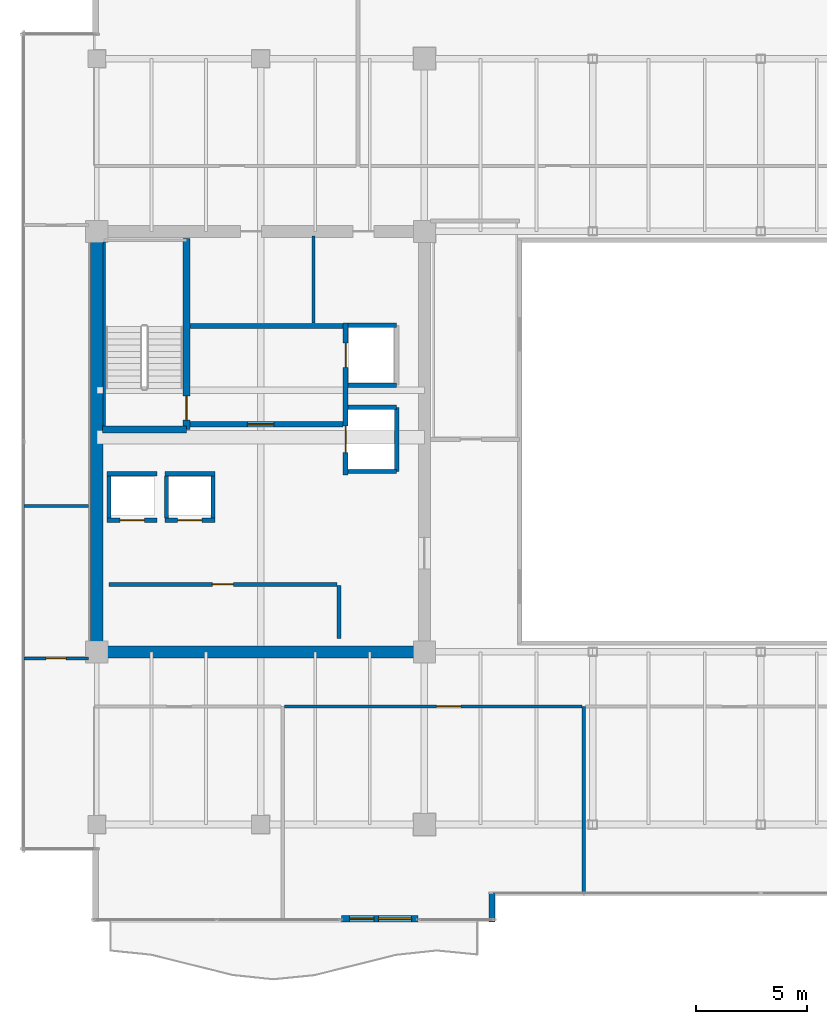
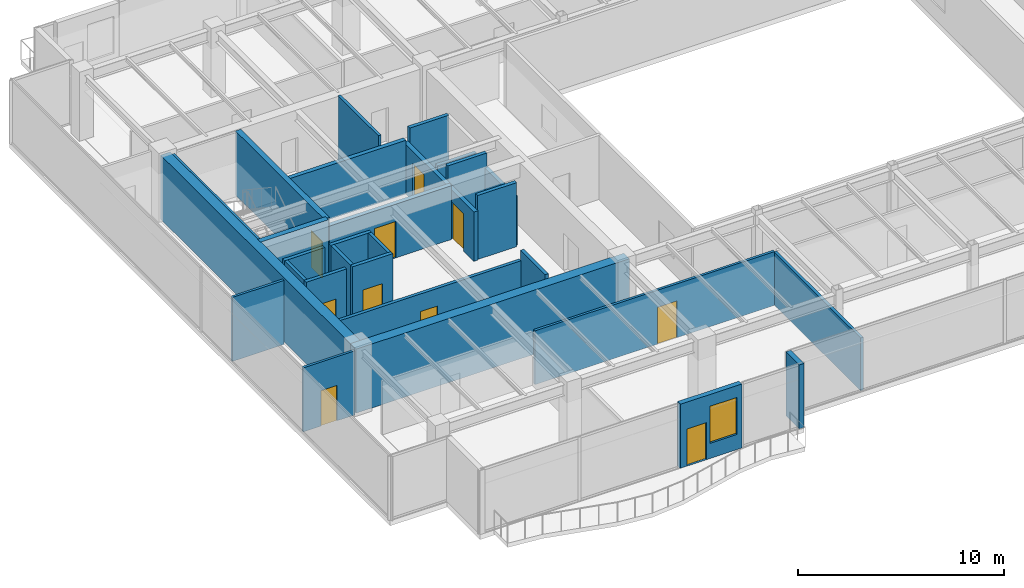
# One storey, part 28 of 35: 29 walls, 10 doors, 1 window, 11 openings.
"""IFC4 building model written with IfcOpenShell, lengths in metres."""

from ifc_helpers import new_model, si_unit, direction, frame, frame_2d, origin, place, context, subcontext, project, spatial, rectangle, extrude, source, transform, mapped, material, layer, layer_set, type_object, type_shapes, element, fill, save


model = new_model("IFC4")

# Units and contexts
model_context = context("Model", 3, precision=1e-05, world=origin(), true_north=direction((0.0, 1.0)))
body_context = subcontext(model_context, "Body", "Model", "MODEL_VIEW")
ifc_project = project(units=[si_unit("LENGTHUNIT", "METRE"), si_unit("AREAUNIT", "SQUARE_METRE"), si_unit("VOLUMEUNIT", "CUBIC_METRE"), si_unit("PLANEANGLEUNIT", "RADIAN"), si_unit("MASSUNIT", "GRAM", prefix="KILO")], contexts=[model_context])

# Site, building, storey
site_placement = place(None, origin())
site = spatial("IfcSite", under=ifc_project, at=site_placement, CompositionType="ELEMENT")
building_placement = place(site_placement, origin())
building = spatial("IfcBuilding", under=site, at=building_placement, Name="Haelvirn Gate Laboratories", CompositionType="ELEMENT")
storey_placement = place(building_placement, frame((0.0, 0.0, 283.39990234375)))
storey = spatial("IfcBuildingStorey", under=building, at=storey_placement, Name="L68", CompositionType="ELEMENT", Elevation=283.39990234375)

# Wall, openings, door, window
ifc_material_1 = material(Name="Thermally-broken bronze aluminium rainscreen & mineral wool", Category="aluminium")
ifc_layer_1 = layer(ifc_material_1, 0.280029296875, Name="EW-TERR-280")
ifc_layer_set_1 = layer_set([ifc_layer_1], Name="Thermally-broken bronze aluminium rainscreen & mineral wool")
wall_type_1 = type_object("IfcWallType", Name="EW-TERR-280", PredefinedType="STANDARD", material=ifc_layer_set_1)
wall_1_placement = place(storey_placement, frame((18.447021484375, 2.739990234375, 0.0), z_axis=(0.0, 0.0, 1.0), x_axis=(1.0, 0.0, 0.0)))
wall_1 = element("IfcWall", 1, at=wall_1_placement, inside=storey, type_object=wall_type_1, Name="L68 Terrace Access Wall WB-WL-S", PredefinedType="STANDARD", context=body_context, shape_type="SweptSolid", body=[
    extrude(rectangle(XDim=3.4560546875, YDim=0.280029296875, at=frame_2d((1.72802734375, 0.0))), origin(), (0.0, 0.0, 1.0), 3.800048828125),
])
opening_1_placement = place(wall_1_placement, frame((0.3779296875, 0.0, 0.0)))
opening_1 = element("IfcOpeningElement", 2, at=opening_1_placement, cuts=wall_1, Name="Opening TD1", PredefinedType="OPENING", context=body_context, shape_type="SweptSolid", body=[
    extrude(rectangle(XDim=1.10009765625, YDim=2.199951171875, at=frame_2d((0.550048828125, 1.10009765625))), frame((0.0, 0.14990234375, 0.0), z_axis=(0.0, -1.0, 0.0), x_axis=(1.0, 0.0, 0.0)), (0.0, 0.0, 1.0), 0.300048828125),
])
opening_2_placement = place(wall_1_placement, frame((1.677978515625, 0.0, 0.89990234375)))
opening_2 = element("IfcOpeningElement", 3, at=opening_2_placement, cuts=wall_1, Name="Opening W3", PredefinedType="OPENING", context=body_context, shape_type="SweptSolid", body=[
    extrude(rectangle(XDim=1.5, YDim=2.199951171875, at=frame_2d((0.75, 1.10009765625))), frame((0.0, 0.14990234375, 0.0), z_axis=(0.0, -1.0, 0.0), x_axis=(1.0, 0.0, 0.0)), (0.0, 0.0, 1.0), 0.300048828125),
])
ifc_material_2 = material(Name="Thermally-broken bronze aluminium glazed terrace door", Category="aluminium")
door_type_1 = type_object("IfcDoorType", Name="DR-TERR-1100", OperationType="NOTDEFINED", PredefinedType="DOOR", material=ifc_material_2)
shared_shape_1 = source(origin(), body_context, "Body", "SweptSolid", [
    extrude(rectangle(XDim=1.10009765625, YDim=2.199951171875, at=frame_2d((0.550048828125, 1.10009765625))), frame((0.0, 0.02490234375, 0.0), z_axis=(0.0, -1.0, 0.0), x_axis=(1.0, 0.0, 0.0)), (0.0, 0.0, 1.0), 0.050048828125),
])
type_shapes(door_type_1, [shared_shape_1])
door_1_placement = place(opening_1_placement, origin())
door_1 = element("IfcDoor", 4, at=door_1_placement, inside=storey, type_object=door_type_1, Name="L68 Terrace Access Door WB-WL-S", OperationType="SINGLE_SWING_LEFT", OverallHeight=2.199951171875, OverallWidth=1.10009765625, PredefinedType="DOOR", context=body_context, shape_type="MappedRepresentation", body=[
    mapped(shared_shape_1, transform((0.0, 0.0, 0.0), scale=1.0)),
])
fill(opening_1, door_1)
ifc_material_3 = material(Name="Bronze anodised aluminium & triple low-E glass", Category="aluminium")
window_type = type_object("IfcWindowType", Name="WIN-TERR-1600", PartitioningType="SINGLE_PANEL", PredefinedType="WINDOW", material=ifc_material_3)
shared_shape_2 = source(origin(), body_context, "Body", "SweptSolid", [
    extrude(rectangle(XDim=1.5, YDim=2.199951171875, at=frame_2d((0.75, 1.10009765625))), frame((0.0, 0.030029296875, 0.0), z_axis=(0.0, -1.0, 0.0), x_axis=(1.0, 0.0, 0.0)), (0.0, 0.0, 1.0), 0.06005859375),
])
type_shapes(window_type, [shared_shape_2])
window_placement = place(opening_2_placement, origin())
window = element("IfcWindow", 5, at=window_placement, inside=storey, type_object=window_type, Name="L68 Terrace Vision Window WB-WL-S", OverallHeight=2.199951171875, OverallWidth=1.5, PartitioningType="SINGLE_PANEL", PredefinedType="WINDOW", context=body_context, shape_type="MappedRepresentation", body=[
    mapped(shared_shape_2, transform((0.0, 0.0, 0.0), scale=1.0)),
])
fill(opening_2, window)

# Walls
wall_2_placement = place(storey_placement, frame((25.260009765625, 2.60009765625, 0.0), z_axis=(0.0, 0.0, 1.0), x_axis=(0.0, 1.0, 0.0)))
element("IfcWall", 6, at=wall_2_placement, inside=storey, type_object=wall_type_1, Name="L68 Atrium Recess Bronze Return Wall 01", PredefinedType="STANDARD", context=body_context, shape_type="SweptSolid", body=[
    extrude(rectangle(XDim=1.29296875, YDim=0.280029296875, at=frame_2d((0.646484375, 0.0))), origin(), (0.0, 0.0, 1.0), 3.800048828125),
])
ifc_material_4 = material(Name="Double-layer acoustic gypsum laboratory partition", Category="gypsum")
ifc_layer_2 = layer(ifc_material_4, 0.159912109375, Name="IW-ACOUST-160")
ifc_layer_set_2 = layer_set([ifc_layer_2], Name="Double-layer acoustic gypsum laboratory partition")
wall_type_2 = type_object("IfcWallType", Name="IW-ACOUST-160", PredefinedType="PARTITIONING", material=ifc_layer_set_2)
wall_3_placement = place(storey_placement, frame((29.39990234375, 3.909912109375, 0.0), z_axis=(0.0, 0.0, 1.0), x_axis=(0.0, 1.0, 0.0)))
element("IfcWall", 7, at=wall_3_placement, inside=storey, type_object=wall_type_2, Name="L68 Interior Wall IW-L68-SDIV-02", PredefinedType="PARTITIONING", context=body_context, shape_type="SweptSolid", body=[
    extrude(rectangle(XDim=8.43017578125, YDim=0.159912109375, at=frame_2d((4.215087890625, 0.0))), origin(), (0.0, 0.0, 1.0), 3.135009765625),
])

# Wall, opening, door
ifc_material_5 = material(Name="Acoustic mineral-wool gypsum board partition", Category="gypsum")
ifc_layer_3 = layer(ifc_material_5, 0.139892578125, Name="IW-PART-140")
ifc_layer_set_3 = layer_set([ifc_layer_3], Name="Acoustic mineral-wool gypsum board partition")
wall_type_3 = type_object("IfcWallType", Name="IW-PART-140", PredefinedType="PARTITIONING", material=ifc_layer_set_3)
wall_4_placement = place(storey_placement, frame((15.8798828125, 12.340087890625, 0.0), z_axis=(0.0, 0.0, 1.0), x_axis=(1.0, 0.0, 0.0)))
wall_4 = element("IfcWall", 8, at=wall_4_placement, inside=storey, type_object=wall_type_3, Name="L68 Interior Wall IW-L68-SCORR-02", PredefinedType="PARTITIONING", context=body_context, shape_type="SweptSolid", body=[
    extrude(rectangle(XDim=13.440185546875, YDim=0.139892578125, at=frame_2d((6.72021484375, 0.0))), origin(), (0.0, 0.0, 1.0), 3.197021484375),
])
opening_3_placement = place(wall_4_placement, frame((6.868408203125, 0.0, 0.0)))
opening_3 = element("IfcOpeningElement", 9, at=opening_3_placement, cuts=wall_4, Name="Opening D1", PredefinedType="OPENING", context=body_context, shape_type="SweptSolid", body=[
    extrude(rectangle(XDim=1.10009765625, YDim=2.179931640625, at=frame_2d((0.550048828125, 1.08984375))), frame((0.0, 0.080078125, 0.0), z_axis=(0.0, -1.0, 0.0), x_axis=(1.0, 0.0, 0.0)), (0.0, 0.0, 1.0), 0.159912109375),
])
ifc_material_6 = material(Name="Vision-panel acoustic solid-core timber lab door", Category="wood")
door_type_2 = type_object("IfcDoorType", Name="DR-LAB-1100", OperationType="NOTDEFINED", PredefinedType="DOOR", material=ifc_material_6)
shared_shape_3 = source(origin(), body_context, "Body", "SweptSolid", [
    extrude(rectangle(XDim=1.10009765625, YDim=2.179931640625, at=frame_2d((0.550048828125, 1.08984375))), frame((0.0, 0.02490234375, 0.0), z_axis=(0.0, -1.0, 0.0), x_axis=(1.0, 0.0, 0.0)), (0.0, 0.0, 1.0), 0.050048828125),
])
type_shapes(door_type_2, [shared_shape_3])
door_2_placement = place(opening_3_placement, origin())
door_2 = element("IfcDoor", 10, at=door_2_placement, inside=storey, type_object=door_type_2, Name="L68 Colloquium Conference Room Door S2", OperationType="SINGLE_SWING_RIGHT", OverallHeight=2.179931640625, OverallWidth=1.10009765625, PredefinedType="DOOR", context=body_context, shape_type="MappedRepresentation", body=[
    mapped(shared_shape_3, transform((0.0, 0.0, 0.0), scale=1.0)),
])
fill(opening_3, door_2)

# Wall
wall_5_placement = place(storey_placement, frame((4.110107421875, 21.39990234375, 0.0), z_axis=(0.0, 0.0, 1.0), x_axis=(1.0, 0.0, 0.0)))
element("IfcWall", 11, at=wall_5_placement, inside=storey, type_object=wall_type_3, Name="L68 Interior Wall IW-L68-WZ3-MID", PredefinedType="PARTITIONING", context=body_context, shape_type="SweptSolid", body=[
    extrude(rectangle(XDim=2.909912109375, YDim=0.139892578125, at=frame_2d((1.455078125, 0.0))), origin(), (0.0, 0.0, 1.0), 3.800048828125),
])

# Wall, opening, door
wall_6_placement = place(storey_placement, frame((4.110107421875, 14.5048828125, 0.0), z_axis=(0.0, 0.0, 1.0), x_axis=(1.0, 0.0, 0.0)))
wall_6 = element("IfcWall", 12, at=wall_6_placement, inside=storey, type_object=wall_type_3, Name="L68 Interior Wall IW-L68-WZ3-ENT-S", PredefinedType="PARTITIONING", context=body_context, shape_type="SweptSolid", body=[
    extrude(rectangle(XDim=2.909912109375, YDim=0.139892578125, at=frame_2d((1.455078125, 0.0))), origin(), (0.0, 0.0, 1.0), 3.800048828125),
])
opening_4_placement = place(wall_6_placement, frame((1.0048828125, 0.0, 0.0)))
opening_4 = element("IfcOpeningElement", 13, at=opening_4_placement, cuts=wall_6, Name="Opening D4", PredefinedType="OPENING", context=body_context, shape_type="SweptSolid", body=[
    extrude(rectangle(XDim=0.89990234375, YDim=2.10009765625, at=frame_2d((0.449951171875, 1.050048828125))), frame((0.0, 0.080078125, 0.0), z_axis=(0.0, -1.0, 0.0), x_axis=(1.0, 0.0, 0.0)), (0.0, 0.0, 1.0), 0.159912109375),
])
ifc_material_7 = material(Name="Glazed aluminium-framed write-up door", Category="aluminium")
door_type_3 = type_object("IfcDoorType", Name="DR-OFF-900", OperationType="NOTDEFINED", PredefinedType="DOOR", material=ifc_material_7)
shared_shape_4 = source(origin(), body_context, "Body", "SweptSolid", [
    extrude(rectangle(XDim=0.89990234375, YDim=2.10009765625, at=frame_2d((0.449951171875, 1.050048828125))), frame((0.0, 0.02490234375, 0.0), z_axis=(0.0, -1.0, 0.0), x_axis=(1.0, 0.0, 0.0)), (0.0, 0.0, 1.0), 0.050048828125),
])
type_shapes(door_type_3, [shared_shape_4])
door_3_placement = place(opening_4_placement, origin())
door_3 = element("IfcDoor", 14, at=door_3_placement, inside=storey, type_object=door_type_3, Name="L68 Researcher Break Pantry Door W-S", OperationType="SINGLE_SWING_LEFT", OverallHeight=2.10009765625, OverallWidth=0.89990234375, PredefinedType="DOOR", context=body_context, shape_type="MappedRepresentation", body=[
    mapped(shared_shape_4, transform((0.0, 0.0, 0.0), scale=1.0)),
])
fill(opening_4, door_3)

# Walls
ifc_material_8 = material(Name="Cement-board restroom plumbing chase wall", Category="gypsum")
ifc_layer_4 = layer(ifc_material_8, 0.155029296875, Name="IW-PLUMB-160")
ifc_layer_set_4 = layer_set([ifc_layer_4], Name="Cement-board restroom plumbing chase wall")
wall_type_4 = type_object("IfcWallType", Name="IW-PLUMB-160", PredefinedType="PLUMBINGWALL", material=ifc_layer_set_4)
wall_7_placement = place(storey_placement, frame((17.18994140625, 29.64990234375, 0.0), z_axis=(0.0, 0.0, 1.0), x_axis=(0.0, 1.0, 0.0)))
element("IfcWall", 15, at=wall_7_placement, inside=storey, type_object=wall_type_4, Name="L68 Interior Wall IW-L68-W-CDIV-1", PredefinedType="PLUMBINGWALL", context=body_context, shape_type="SweptSolid", body=[
    extrude(rectangle(XDim=3.93017578125, YDim=0.155029296875, at=frame_2d((1.965087890625, 0.0))), origin(), (0.0, 0.0, 1.0), 3.800048828125),
])
ifc_material_9 = material(Name="Concrete C40/50", Category="concrete")
ifc_layer_5 = layer(ifc_material_9, 0.179931640625, Name="IW-SHAFT-180")
ifc_layer_set_5 = layer_set([ifc_layer_5], Name="Concrete C40/50")
wall_type_5 = type_object("IfcWallType", Name="IW-SHAFT-180", PredefinedType="SOLIDWALL", material=ifc_layer_set_5)
for number, where, z_axis, x_axis, name in (
    (16, (7.949951171875, 20.85009765625, 0.0), (0.0, 0.0, 1.0), (0.0, 1.0, 0.0), "L68 Interior Wall IW-L68-PL9-SD"),
    (17, (10.550048828125, 20.85009765625, 0.0), (0.0, 0.0, 1.0), (0.0, 1.0, 0.0), "L68 Interior Wall IW-L68-PL10-SD"),
    (18, (12.64990234375, 20.85009765625, 0.0), (0.0, 0.0, 1.0), (0.0, 1.0, 0.0), "L68 Interior Wall IW-L68-PL10-SDE"),
):
    element("IfcWall", number, at=place(storey_placement, frame(where, z_axis=z_axis, x_axis=x_axis)), inside=storey, type_object=wall_type_5, Name=name, PredefinedType="SOLIDWALL", context=body_context, shape_type="SweptSolid", body=[
        extrude(rectangle(XDim=1.89990234375, YDim=0.179931640625, at=frame_2d((0.949951171875, 0.0))), origin(), (0.0, 0.0, 1.0), 3.800048828125),
    ])

# Wall, opening, door
wall_8_placement = place(storey_placement, frame((7.949951171875, 17.85009765625, 0.0), z_axis=(0.0, 0.0, 1.0), x_axis=(1.0, 0.0, 0.0)))
wall_8 = element("IfcWall", 19, at=wall_8_placement, inside=storey, type_object=wall_type_5, Name="L68 Interior Wall IW-L68-W-FREED-HN-1", PredefinedType="SOLIDWALL", context=body_context, shape_type="SweptSolid", body=[
    extrude(rectangle(XDim=10.300048828125, YDim=0.179931640625, at=frame_2d((5.14990234375, 0.0))), origin(), (0.0, 0.0, 1.0), 3.197021484375),
])
opening_5_placement = place(wall_8_placement, frame((4.675048828125, 0.0, 0.0)))
opening_5 = element("IfcOpeningElement", 20, at=opening_5_placement, cuts=wall_8, Name="Opening FD4", PredefinedType="OPENING", context=body_context, shape_type="SweptSolid", body=[
    extrude(rectangle(XDim=0.949951171875, YDim=2.14990234375, at=frame_2d((0.47509765625, 1.074951171875))), frame((0.0, 0.10009765625, 0.0), z_axis=(0.0, -1.0, 0.0), x_axis=(1.0, 0.0, 0.0)), (0.0, 0.0, 1.0), 0.199951171875),
])
ifc_material_10 = material(Name="Fire-rated steel SM355 core service door", Category="steel")
door_type_4 = type_object("IfcDoorType", Name="DR-FD-950", OperationType="NOTDEFINED", PredefinedType="DOOR", material=ifc_material_10)
shared_shape_5 = source(origin(), body_context, "Body", "SweptSolid", [
    extrude(rectangle(XDim=0.949951171875, YDim=2.14990234375, at=frame_2d((0.47509765625, 1.074951171875))), frame((0.0, 0.02490234375, 0.0), z_axis=(0.0, -1.0, 0.0), x_axis=(1.0, 0.0, 0.0)), (0.0, 0.0, 1.0), 0.050048828125),
])
type_shapes(door_type_4, [shared_shape_5])
door_4_placement = place(opening_5_placement, origin())
door_4 = element("IfcDoor", 21, at=door_4_placement, inside=storey, type_object=door_type_4, Name="L68 High-Zone Cryogenic Biobank Vault Door", OperationType="SINGLE_SWING_LEFT", OverallHeight=2.14990234375, OverallWidth=0.949951171875, PredefinedType="DOOR", context=body_context, shape_type="MappedRepresentation", body=[
    mapped(shared_shape_5, transform((0.0, 0.0, 0.0), scale=1.0)),
])
fill(opening_5, door_4)

# Wall
wall_9_placement = place(storey_placement, frame((18.340087890625, 15.39990234375, 0.0), z_axis=(0.0, 0.0, 1.0), x_axis=(0.0, 1.0, 0.0)))
element("IfcWall", 22, at=wall_9_placement, inside=storey, type_object=wall_type_5, Name="L68 Interior Wall IW-L68-W-FREED-HE-1", PredefinedType="SOLIDWALL", context=body_context, shape_type="SweptSolid", body=[
    extrude(rectangle(XDim=2.400146484375, YDim=0.179931640625, at=frame_2d((1.2001953125, 0.0))), origin(), (0.0, 0.0, 1.0), 3.800048828125),
])

# Wall, opening, door
ifc_layer_6 = layer(ifc_material_9, 0.199951171875, Name="IW-SHAFT-200")
ifc_layer_set_6 = layer_set([ifc_layer_6], Name="Concrete C40/50")
wall_type_6 = type_object("IfcWallType", Name="IW-SHAFT-200", PredefinedType="SOLIDWALL", material=ifc_layer_set_6)
wall_10_placement = place(storey_placement, frame((7.8701171875, 20.75, 0.0), z_axis=(0.0, 0.0, 1.0), x_axis=(1.0, 0.0, 0.0)))
wall_10 = element("IfcWall", 23, at=wall_10_placement, inside=storey, type_object=wall_type_6, Name="L68 Interior Wall IW-L68-PL9-FR", PredefinedType="SOLIDWALL", context=body_context, shape_type="SweptSolid", body=[
    extrude(rectangle(XDim=2.259765625, YDim=0.199951171875, at=frame_2d((1.1298828125, 0.0))), origin(), (0.0, 0.0, 1.0), 3.800048828125),
])
opening_6_placement = place(wall_10_placement, frame((0.580078125, 0.0, 0.0)))
opening_6 = element("IfcOpeningElement", 24, at=opening_6_placement, cuts=wall_10, Name="Opening LD2", PredefinedType="OPENING", context=body_context, shape_type="SweptSolid", body=[
    extrude(rectangle(XDim=1.10009765625, YDim=2.219970703125, at=frame_2d((0.550048828125, 1.10986328125))), frame((0.0, 0.10986328125, 0.0), z_axis=(0.0, -1.0, 0.0), x_axis=(1.0, 0.0, 0.0)), (0.0, 0.0, 1.0), 0.219970703125),
])
ifc_material_11 = material(Name="Bronze stainless 316L sliding lift landing door")
door_type_5 = type_object("IfcDoorType", Name="DR-LD-1100", OperationType="NOTDEFINED", PredefinedType="USERDEFINED", material=ifc_material_11)
shared_shape_6 = source(origin(), body_context, "Body", "SweptSolid", [
    extrude(rectangle(XDim=1.10009765625, YDim=2.219970703125, at=frame_2d((0.550048828125, 1.10986328125))), frame((0.0, 0.02490234375, 0.0), z_axis=(0.0, -1.0, 0.0), x_axis=(1.0, 0.0, 0.0)), (0.0, 0.0, 1.0), 0.050048828125),
])
type_shapes(door_type_5, [shared_shape_6])
door_5_placement = place(opening_6_placement, origin())
door_5 = element("IfcDoor", 25, at=door_5_placement, inside=storey, type_object=door_type_5, Name="L68 Passenger Lift PL9 Landing Door", ObjectType="LANDING_DOOR", OperationType="SLIDING_TO_LEFT", OverallHeight=2.219970703125, OverallWidth=1.10009765625, PredefinedType="USERDEFINED", context=body_context, shape_type="MappedRepresentation", body=[
    mapped(shared_shape_6, transform((0.0, 0.0, 0.0), scale=1.0)),
])
fill(opening_6, door_5)

# Wall
wall_11_placement = place(storey_placement, frame((7.8701171875, 22.85009765625, 0.0), z_axis=(0.0, 0.0, 1.0), x_axis=(1.0, 0.0, 0.0)))
element("IfcWall", 26, at=wall_11_placement, inside=storey, type_object=wall_type_6, Name="L68 Interior Wall IW-L68-PL9-BK", PredefinedType="SOLIDWALL", context=body_context, shape_type="SweptSolid", body=[
    extrude(rectangle(XDim=2.259765625, YDim=0.199951171875, at=frame_2d((1.1298828125, 0.0))), origin(), (0.0, 0.0, 1.0), 3.800048828125),
])

# Wall, opening, door
wall_12_placement = place(storey_placement, frame((10.469970703125, 20.75, 0.0), z_axis=(0.0, 0.0, 1.0), x_axis=(1.0, 0.0, 0.0)))
wall_12 = element("IfcWall", 27, at=wall_12_placement, inside=storey, type_object=wall_type_6, Name="L68 Interior Wall IW-L68-PL10-FR", PredefinedType="SOLIDWALL", context=body_context, shape_type="SweptSolid", body=[
    extrude(rectangle(XDim=2.260009765625, YDim=0.199951171875, at=frame_2d((1.1298828125, 0.0))), origin(), (0.0, 0.0, 1.0), 3.800048828125),
])
opening_7_placement = place(wall_12_placement, frame((0.580078125, 0.0, 0.0)))
opening_7 = element("IfcOpeningElement", 28, at=opening_7_placement, cuts=wall_12, Name="Opening LD2", PredefinedType="OPENING", context=body_context, shape_type="SweptSolid", body=[
    extrude(rectangle(XDim=1.10009765625, YDim=2.219970703125, at=frame_2d((0.550048828125, 1.10986328125))), frame((0.0, 0.10986328125, 0.0), z_axis=(0.0, -1.0, 0.0), x_axis=(1.0, 0.0, 0.0)), (0.0, 0.0, 1.0), 0.219970703125),
])
door_6_placement = place(opening_7_placement, origin())
door_6 = element("IfcDoor", 29, at=door_6_placement, inside=storey, type_object=door_type_5, Name="L68 Passenger Lift PL10 Landing Door", ObjectType="LANDING_DOOR", OperationType="SLIDING_TO_RIGHT", OverallHeight=2.219970703125, OverallWidth=1.10009765625, PredefinedType="USERDEFINED", context=body_context, shape_type="MappedRepresentation", body=[
    mapped(shared_shape_6, transform((0.0, 0.0, 0.0), scale=1.0)),
])
fill(opening_7, door_6)

# Walls
wall_13_placement = place(storey_placement, frame((10.469970703125, 22.85009765625, 0.0), z_axis=(0.0, 0.0, 1.0), x_axis=(1.0, 0.0, 0.0)))
element("IfcWall", 30, at=wall_13_placement, inside=storey, type_object=wall_type_6, Name="L68 Interior Wall IW-L68-PL10-BK", PredefinedType="SOLIDWALL", context=body_context, shape_type="SweptSolid", body=[
    extrude(rectangle(XDim=2.260009765625, YDim=0.199951171875, at=frame_2d((1.1298828125, 0.0))), origin(), (0.0, 0.0, 1.0), 3.800048828125),
])
wall_14_placement = place(storey_placement, frame((18.760009765625, 29.550048828125, 0.0), z_axis=(0.0, 0.0, 1.0), x_axis=(1.0, 0.0, 0.0)))
element("IfcWall", 31, at=wall_14_placement, inside=storey, type_object=wall_type_6, Name="L68 Interior Wall IW-L68-FL1-N", PredefinedType="SOLIDWALL", context=body_context, shape_type="SweptSolid", body=[
    extrude(rectangle(XDim=2.18994140625, YDim=0.199951171875, at=frame_2d((1.094970703125, 0.0))), origin(), (0.0, 0.0, 1.0), 3.800048828125),
])
wall_15_placement = place(storey_placement, frame((18.760009765625, 26.85009765625, 0.0), z_axis=(0.0, 0.0, 1.0), x_axis=(1.0, 0.0, 0.0)))
element("IfcWall", 32, at=wall_15_placement, inside=storey, type_object=wall_type_6, Name="L68 Interior Wall IW-L68-FL1-S", PredefinedType="SOLIDWALL", context=body_context, shape_type="SweptSolid", body=[
    extrude(rectangle(XDim=2.18994140625, YDim=0.199951171875, at=frame_2d((1.094970703125, 0.0))), origin(), (0.0, 0.0, 1.0), 3.197021484375),
])
wall_16_placement = place(storey_placement, frame((20.949951171875, 22.949951171875, 0.0), z_axis=(0.0, 0.0, 1.0), x_axis=(0.0, 1.0, 0.0)))
element("IfcWall", 33, at=wall_16_placement, inside=storey, type_object=wall_type_6, Name="L68 Interior Wall IW-L68-SL1-BK", PredefinedType="SOLIDWALL", context=body_context, shape_type="SweptSolid", body=[
    extrude(rectangle(XDim=2.900146484375, YDim=0.199951171875, at=frame_2d((1.4501953125, 0.0))), origin(), (0.0, 0.0, 1.0), 2.93505859375),
])
for number, where, z_axis, x_axis, name in (
    (34, (18.760009765625, 25.85009765625, 0.0), (0.0, 0.0, 1.0), (1.0, 0.0, 0.0), "L68 Interior Wall IW-L68-SL1-N"),
    (35, (18.760009765625, 22.949951171875, 0.0), (0.0, 0.0, 1.0), (1.0, 0.0, 0.0), "L68 Interior Wall IW-L68-SL1-S"),
):
    element("IfcWall", number, at=place(storey_placement, frame(where, z_axis=z_axis, x_axis=x_axis)), inside=storey, type_object=wall_type_6, Name=name, PredefinedType="SOLIDWALL", context=body_context, shape_type="SweptSolid", body=[
        extrude(rectangle(XDim=2.18994140625, YDim=0.199951171875, at=frame_2d((1.094970703125, 0.0))), origin(), (0.0, 0.0, 1.0), 3.800048828125),
    ])

# Wall, opening, door
ifc_layer_7 = layer(ifc_material_9, 0.239990234375, Name="IW-SHAFT-240")
ifc_layer_set_7 = layer_set([ifc_layer_7], Name="Concrete C40/50")
wall_type_7 = type_object("IfcWallType", Name="IW-SHAFT-240", PredefinedType="SOLIDWALL", material=ifc_layer_set_7)
wall_17_placement = place(storey_placement, frame((11.60009765625, 25.080078125, 0.0), z_axis=(0.0, 0.0, 1.0), x_axis=(1.0, 0.0, 0.0)))
wall_17 = element("IfcWall", 36, at=wall_17_placement, inside=storey, type_object=wall_type_7, Name="L68 Interior Wall IW-L68-W-FF-S", PredefinedType="SOLIDWALL", context=body_context, shape_type="SweptSolid", body=[
    extrude(rectangle(XDim=6.919921875, YDim=0.239990234375, at=frame_2d((3.4599609375, 0.0))), origin(), (0.0, 0.0, 1.0), 3.197021484375),
])
opening_8_placement = place(wall_17_placement, frame((2.60009765625, 0.0, 0.0)))
opening_8 = element("IfcOpeningElement", 37, at=opening_8_placement, cuts=wall_17, Name="Opening FD2", PredefinedType="OPENING", context=body_context, shape_type="SweptSolid", body=[
    extrude(rectangle(XDim=1.199951171875, YDim=2.159912109375, at=frame_2d((0.60009765625, 1.080078125))), frame((0.0, 0.1298828125, 0.0), z_axis=(0.0, -1.0, 0.0), x_axis=(1.0, 0.0, 0.0)), (0.0, 0.0, 1.0), 0.260009765625),
])
ifc_material_12 = material(Name="Fire-rated steel SM355 compartment door", Category="steel")
door_type_6 = type_object("IfcDoorType", Name="DR-FD-1200", OperationType="NOTDEFINED", PredefinedType="DOOR", material=ifc_material_12)
shared_shape_7 = source(origin(), body_context, "Body", "SweptSolid", [
    extrude(rectangle(XDim=1.199951171875, YDim=2.159912109375, at=frame_2d((0.60009765625, 1.080078125))), frame((0.0, 0.02490234375, 0.0), z_axis=(0.0, -1.0, 0.0), x_axis=(1.0, 0.0, 0.0)), (0.0, 0.0, 1.0), 0.050048828125),
])
type_shapes(door_type_6, [shared_shape_7])
door_7_placement = place(opening_8_placement, origin())
door_7 = element("IfcDoor", 38, at=door_7_placement, inside=storey, type_object=door_type_6, Name="L68 West Firefighting Lobby Door", OperationType="SINGLE_SWING_RIGHT", OverallHeight=2.159912109375, OverallWidth=1.199951171875, PredefinedType="DOOR", context=body_context, shape_type="MappedRepresentation", body=[
    mapped(shared_shape_7, transform((0.0, 0.0, 0.0), scale=1.0)),
])
fill(opening_8, door_7)

# Wall
wall_18_placement = place(storey_placement, frame((11.60009765625, 29.52001953125, 0.0), z_axis=(0.0, 0.0, 1.0), x_axis=(1.0, 0.0, 0.0)))
element("IfcWall", 39, at=wall_18_placement, inside=storey, type_object=wall_type_7, Name="L68 Interior Wall IW-L68-W-FF-N", PredefinedType="SOLIDWALL", context=body_context, shape_type="SweptSolid", body=[
    extrude(rectangle(XDim=6.919921875, YDim=0.239990234375, at=frame_2d((3.4599609375, 0.0))), origin(), (0.0, 0.0, 1.0), 3.197021484375),
])

# Wall, openings, doors
wall_19_placement = place(storey_placement, frame((18.639892578125, 22.800048828125, 0.0), z_axis=(0.0, 0.0, 1.0), x_axis=(0.0, 1.0, 0.0)))
wall_19 = element("IfcWall", 40, at=wall_19_placement, inside=storey, type_object=wall_type_7, Name="L68 Interior Wall IW-L68-W-FF-E", PredefinedType="SOLIDWALL", context=body_context, shape_type="SweptSolid", body=[
    extrude(rectangle(XDim=6.849853515625, YDim=0.239990234375, at=frame_2d((3.4248046875, 0.0))), origin(), (0.0, 0.0, 1.0), 2.93505859375),
])
opening_9_placement = place(wall_19_placement, frame((4.85009765625, 0.0, 0.0)))
opening_9 = element("IfcOpeningElement", 41, at=opening_9_placement, cuts=wall_19, Name="Opening LD2", PredefinedType="OPENING", context=body_context, shape_type="SweptSolid", body=[
    extrude(rectangle(XDim=1.10009765625, YDim=2.219970703125, at=frame_2d((0.550048828125, 1.10986328125))), frame((0.0, 0.1298828125, 0.0), z_axis=(0.0, -1.0, 0.0), x_axis=(1.0, 0.0, 0.0)), (0.0, 0.0, 1.0), 0.260009765625),
])
opening_10_placement = place(wall_19_placement, frame((1.0, 0.0, 0.0)))
opening_10 = element("IfcOpeningElement", 42, at=opening_10_placement, cuts=wall_19, Name="Opening LD1", PredefinedType="OPENING", context=body_context, shape_type="SweptSolid", body=[
    extrude(rectangle(XDim=1.199951171875, YDim=2.219970703125, at=frame_2d((0.60009765625, 1.10986328125))), frame((0.0, 0.1298828125, 0.0), z_axis=(0.0, -1.0, 0.0), x_axis=(1.0, 0.0, 0.0)), (0.0, 0.0, 1.0), 0.260009765625),
])
door_8_placement = place(opening_9_placement, origin())
door_8 = element("IfcDoor", 43, at=door_8_placement, inside=storey, type_object=door_type_5, Name="L68 Firefighting Lift FL1 Landing Door", ObjectType="LANDING_DOOR", OperationType="SLIDING_TO_LEFT", OverallHeight=2.219970703125, OverallWidth=1.10009765625, PredefinedType="USERDEFINED", context=body_context, shape_type="MappedRepresentation", body=[
    mapped(shared_shape_6, transform((0.0, 0.0, 0.0), scale=1.0)),
])
fill(opening_9, door_8)
ifc_material_13 = material(Name="Stainless steel 316L sliding goods landing door", Category="steel")
door_type_7 = type_object("IfcDoorType", Name="DR-LD-1200", OperationType="NOTDEFINED", PredefinedType="USERDEFINED", material=ifc_material_13)
shared_shape_8 = source(origin(), body_context, "Body", "SweptSolid", [
    extrude(rectangle(XDim=1.199951171875, YDim=2.219970703125, at=frame_2d((0.60009765625, 1.10986328125))), frame((0.0, 0.02490234375, 0.0), z_axis=(0.0, -1.0, 0.0), x_axis=(1.0, 0.0, 0.0)), (0.0, 0.0, 1.0), 0.050048828125),
])
type_shapes(door_type_7, [shared_shape_8])
door_9_placement = place(opening_10_placement, origin())
door_9 = element("IfcDoor", 44, at=door_9_placement, inside=storey, type_object=door_type_7, Name="L68 Service Lift SL1 Landing Door", ObjectType="LANDING_DOOR", OperationType="SLIDING_TO_RIGHT", OverallHeight=2.219970703125, OverallWidth=1.199951171875, PredefinedType="USERDEFINED", context=body_context, shape_type="MappedRepresentation", body=[
    mapped(shared_shape_8, transform((0.0, 0.0, 0.0), scale=1.0)),
])
fill(opening_10, door_9)

# Walls
ifc_material_14 = material(Name="Concrete C50/60", Category="concrete")
ifc_layer_8 = layer(ifc_material_14, 0.550048828125, Name="SW-CORE-550")
ifc_layer_set_8 = layer_set([ifc_layer_8], Name="Concrete C50/60")
wall_type_8 = type_object("IfcWallType", Name="SW-CORE-550", PredefinedType="SHEAR", material=ifc_layer_set_8)
wall_20_placement = place(storey_placement, frame((7.125, 14.800048828125, 0.0), z_axis=(0.0, 0.0, 1.0), x_axis=(1.0, 0.0, 0.0)))
element("IfcWall", 45, at=wall_20_placement, inside=storey, type_object=wall_type_8, Name="L68 W Core Shear Wall S", PredefinedType="SHEAR", context=body_context, shape_type="SweptSolid", body=[
    extrude(rectangle(XDim=15.35009765625, YDim=0.550048828125, at=frame_2d((7.675048828125, 0.0))), origin(), (0.0, 0.0, 1.0), 3.800048828125),
])
wall_21_placement = place(storey_placement, frame((7.39990234375, 15.074951171875, 0.0), z_axis=(0.0, 0.0, 1.0), x_axis=(0.0, 1.0, 0.0)))
element("IfcWall", 46, at=wall_21_placement, inside=storey, type_object=wall_type_8, Name="L68 W Core Shear Wall W", PredefinedType="SHEAR", context=body_context, shape_type="SweptSolid", body=[
    extrude(rectangle(XDim=18.449951171875, YDim=0.550048828125, at=frame_2d((9.22509765625, 0.0))), origin(), (0.0, 0.0, 1.0), 3.800048828125),
])
ifc_layer_9 = layer(ifc_material_14, 0.1201171875, Name="SW-LINER-120")
ifc_layer_set_9 = layer_set([ifc_layer_9], Name="Concrete C50/60")
wall_type_9 = type_object("IfcWallType", Name="SW-LINER-120", PredefinedType="SOLIDWALL", material=ifc_layer_set_9)
wall_22_placement = place(storey_placement, frame((7.72998046875, 25.0, 0.0), z_axis=(0.0, 0.0, 1.0), x_axis=(0.0, 1.0, 0.0)))
element("IfcWall", 47, at=wall_22_placement, inside=storey, type_object=wall_type_9, Name="L68 W Core Stair Shaft Liner Wall OUT", PredefinedType="SOLIDWALL", context=body_context, shape_type="SweptSolid", body=[
    extrude(rectangle(XDim=8.320068359375, YDim=0.1201171875, at=frame_2d((4.16015625, 0.0))), origin(), (0.0, 0.0, 1.0), 3.800048828125),
])

# Wall, opening, door
ifc_layer_10 = layer(ifc_material_14, 0.300048828125, Name="SW-STAIR-300")
ifc_layer_set_10 = layer_set([ifc_layer_10], Name="Concrete C50/60")
wall_type_10 = type_object("IfcWallType", Name="SW-STAIR-300", PredefinedType="SHEAR", material=ifc_layer_set_10)
wall_23_placement = place(storey_placement, frame((11.449951171875, 24.85009765625, 0.0), z_axis=(0.0, 0.0, 1.0), x_axis=(0.0, 1.0, 0.0)))
wall_23 = element("IfcWall", 48, at=wall_23_placement, inside=storey, type_object=wall_type_10, Name="L68 W Core Stair Shaft Structural Wall IN", PredefinedType="SHEAR", context=body_context, shape_type="SweptSolid", body=[
    extrude(rectangle(XDim=8.6298828125, YDim=0.300048828125, at=frame_2d((4.31494140625, 0.0))), origin(), (0.0, 0.0, 1.0), 3.800048828125),
])
opening_11_placement = place(wall_23_placement, frame((0.419921875, 0.0, 0.0)))
opening_11 = element("IfcOpeningElement", 49, at=opening_11_placement, cuts=wall_23, Name="Opening FD3", PredefinedType="OPENING", context=body_context, shape_type="SweptSolid", body=[
    extrude(rectangle(XDim=1.10009765625, YDim=2.14990234375, at=frame_2d((0.550048828125, 1.074951171875))), frame((0.0, 0.16015625, 0.0), z_axis=(0.0, -1.0, 0.0), x_axis=(1.0, 0.0, 0.0)), (0.0, 0.0, 1.0), 0.320068359375),
])
ifc_material_15 = material(Name="Fire-rated steel SM355 escape stair door", Category="steel")
door_type_8 = type_object("IfcDoorType", Name="DR-FD-1100", OperationType="NOTDEFINED", PredefinedType="DOOR", material=ifc_material_15)
shared_shape_9 = source(origin(), body_context, "Body", "SweptSolid", [
    extrude(rectangle(XDim=1.10009765625, YDim=2.14990234375, at=frame_2d((0.550048828125, 1.074951171875))), frame((0.0, 0.02490234375, 0.0), z_axis=(0.0, -1.0, 0.0), x_axis=(1.0, 0.0, 0.0)), (0.0, 0.0, 1.0), 0.050048828125),
])
type_shapes(door_type_8, [shared_shape_9])
door_10_placement = place(opening_11_placement, origin())
door_10 = element("IfcDoor", 50, at=door_10_placement, inside=storey, type_object=door_type_8, Name="L68 Escape Stair ST1 Fire Door", OperationType="SINGLE_SWING_LEFT", OverallHeight=2.14990234375, OverallWidth=1.10009765625, PredefinedType="DOOR", context=body_context, shape_type="MappedRepresentation", body=[
    mapped(shared_shape_9, transform((0.0, 0.0, 0.0), scale=1.0)),
])
fill(opening_11, door_10)

# Wall
wall_24_placement = place(storey_placement, frame((7.64990234375, 24.85009765625, 0.0), z_axis=(0.0, 0.0, 1.0), x_axis=(1.0, 0.0, 0.0)))
element("IfcWall", 51, at=wall_24_placement, inside=storey, type_object=wall_type_10, Name="L68 W Core Stair Shaft Structural Wall S", PredefinedType="SHEAR", context=body_context, shape_type="SweptSolid", body=[
    extrude(rectangle(XDim=3.800048828125, YDim=0.300048828125, at=frame_2d((1.89990234375, 0.0))), origin(), (0.0, 0.0, 1.0), 3.800048828125),
])

save(model, "model.ifc")
